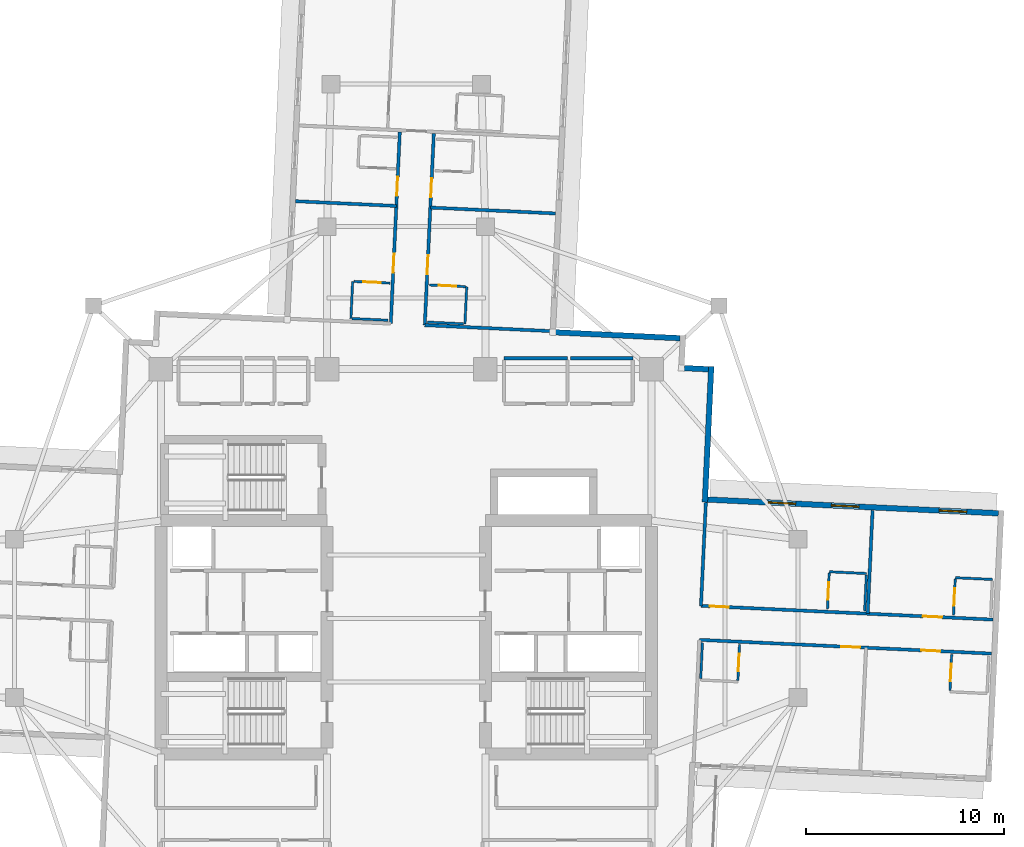
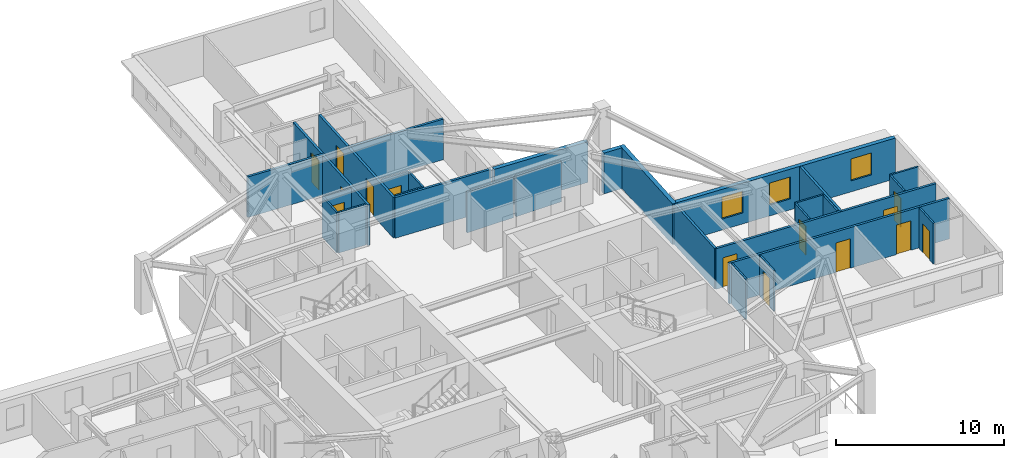
# One storey, part 8 of 14: 29 walls, 14 doors, 3 windows, 17 openings.
"""IFC4 building model written with IfcOpenShell, lengths in metres."""

from ifc_helpers import new_model, si_unit, direction, frame, frame_2d, origin, place, context, subcontext, project, spatial, rectangle, extrude, material, layer, layer_set, type_object, element, fill, save


model = new_model("IFC4")

# Units and contexts
model_context = context("Model", 3, precision=1e-05, world=origin(), true_north=direction((0.0, 1.0)))
body_context = subcontext(model_context, "Body", "Model", "MODEL_VIEW")
ifc_project = project(units=[si_unit("LENGTHUNIT", "METRE"), si_unit("AREAUNIT", "SQUARE_METRE"), si_unit("VOLUMEUNIT", "CUBIC_METRE"), si_unit("PLANEANGLEUNIT", "RADIAN"), si_unit("MASSUNIT", "GRAM", prefix="KILO")], contexts=[model_context])

# Site, building, storey
site_placement = place(None, origin())
site = spatial("IfcSite", under=ifc_project, at=site_placement, CompositionType="ELEMENT")
building_placement = place(site_placement, origin())
building = spatial("IfcBuilding", under=site, at=building_placement, Name="Qingluan Cross Belvedere", CompositionType="ELEMENT")
storey_placement = place(building_placement, frame((0.0, 0.0, 172.199951171875)))
storey = spatial("IfcBuildingStorey", under=building, at=storey_placement, Name="L43", CompositionType="ELEMENT", Elevation=172.199951171875)

# Walls
ifc_material_1 = material(Name="Gypsum plasterboard on steel stud acoustic partition", Category="steel")
ifc_layer_1 = layer(ifc_material_1, 0.159912109375, Name="CorridorPartition_160")
ifc_layer_set_1 = layer_set([ifc_layer_1], Name="Gypsum plasterboard on steel stud acoustic partition")
wall_type_1 = type_object("IfcWallType", Name="CorridorPartition_160", PredefinedType="PARTITIONING", material=ifc_layer_set_1)
wall_1_placement = place(storey_placement, frame((4.949951171875, 13.14990234375, 0.0), z_axis=(0.0, 0.0, 1.0), x_axis=(1.0, 0.0, 0.0)))
element("IfcWall", 1, at=wall_1_placement, inside=storey, type_object=wall_type_1, Name="Partition L43:q_ne1:N", PredefinedType="PARTITIONING", context=body_context, shape_type="SweptSolid", body=[
    extrude(rectangle(XDim=3.199951171875, YDim=0.159912109375, at=frame_2d((1.60009765625, 0.0))), origin(), (0.0, 0.0, 1.0), 2.9599609375),
])
wall_2_placement = place(storey_placement, frame((8.31005859375, 13.14990234375, 0.0), z_axis=(0.0, 0.0, 1.0), x_axis=(1.0, 0.0, 0.0)))
element("IfcWall", 2, at=wall_2_placement, inside=storey, type_object=wall_type_1, Name="Partition L43:q_ne2:N", PredefinedType="PARTITIONING", context=body_context, shape_type="SweptSolid", body=[
    extrude(rectangle(XDim=3.139892578125, YDim=0.159912109375, at=frame_2d((1.56982421875, 0.0))), origin(), (0.0, 0.0, 1.0), 2.9599609375),
])

# Wall, openings, doors
wall_3_placement = place(storey_placement, frame((14.896484375, 0.638916015625, 0.0), z_axis=(0.0, 0.0, 1.0), x_axis=(0.99889000272, -0.04710374153, 0.0)))
wall_3 = element("IfcWall", 3, at=wall_3_placement, inside=storey, type_object=wall_type_1, Name="Partition L43:E:c0", PredefinedType="PARTITIONING", context=body_context, shape_type="SweptSolid", body=[
    extrude(rectangle(XDim=14.781982421875, YDim=0.159912109375, at=frame_2d((7.39111328125, 0.0))), origin(), (0.0, 0.0, 1.0), 2.9599609375),
])
opening_1_placement = place(wall_3_placement, frame((0.449951171875, 0.0, 0.0)))
opening_1 = element("IfcOpeningElement", 4, at=opening_1_placement, cuts=wall_3, Name="Opening GD-10", PredefinedType="OPENING", context=body_context, shape_type="SweptSolid", body=[
    extrude(rectangle(XDim=0.9599609375, YDim=2.14990234375, at=frame_2d((0.47998046875, 1.074951171875))), frame((0.0, 0.08984375, 0.0), z_axis=(0.0, -1.0, 0.0), x_axis=(1.0, 0.0, 0.0)), (0.0, 0.0, 1.0), 0.179931640625),
])
opening_2_placement = place(wall_3_placement, frame((11.23291015625, 0.0, 0.0)))
opening_2 = element("IfcOpeningElement", 5, at=opening_2_placement, cuts=wall_3, Name="Opening GD-10", PredefinedType="OPENING", context=body_context, shape_type="SweptSolid", body=[
    extrude(rectangle(XDim=0.9599609375, YDim=2.14990234375, at=frame_2d((0.47998046875, 1.074951171875))), frame((0.0, 0.08984375, 0.0), z_axis=(0.0, -1.0, 0.0), x_axis=(1.0, 0.0, 0.0)), (0.0, 0.0, 1.0), 0.179931640625),
])
ifc_material_2 = material(Name="Timber oak fire-rated acoustic guestroom door", Category="wood")
door_type_1 = type_object("IfcDoorType", Name="GuestEntryDoor_FD60", OperationType="NOTDEFINED", PredefinedType="DOOR", material=ifc_material_2)
door_1_placement = place(opening_1_placement, origin())
door_1 = element("IfcDoor", 6, at=door_1_placement, inside=storey, type_object=door_type_1, Name="Guest entry fire door 4301", OperationType="SINGLE_SWING_RIGHT", OverallHeight=2.14990234375, OverallWidth=0.9599609375, PredefinedType="DOOR", context=body_context, shape_type="SweptSolid", body=[
    extrude(rectangle(XDim=0.9599609375, YDim=2.14990234375, at=frame_2d((0.47998046875, 1.074951171875))), frame((0.0, 0.02490234375, 0.0), z_axis=(0.0, -1.0, 0.0), x_axis=(1.0, 0.0, 0.0)), (0.0, 0.0, 1.0), 0.050048828125),
])
fill(opening_1, door_1)
door_2_placement = place(opening_2_placement, origin())
door_2 = element("IfcDoor", 7, at=door_2_placement, inside=storey, type_object=door_type_1, Name="Guest entry fire door 4302", OperationType="SINGLE_SWING_RIGHT", OverallHeight=2.14990234375, OverallWidth=0.9599609375, PredefinedType="DOOR", context=body_context, shape_type="SweptSolid", body=[
    extrude(rectangle(XDim=0.9599609375, YDim=2.14990234375, at=frame_2d((0.47998046875, 1.074951171875))), frame((0.0, 0.02490234375, 0.0), z_axis=(0.0, -1.0, 0.0), x_axis=(1.0, 0.0, 0.0)), (0.0, 0.0, 1.0), 0.050048828125),
])
fill(opening_2, door_2)

# Walls
wall_4_placement = place(storey_placement, frame((14.896484375, 0.638916015625, 0.0), z_axis=(0.0, 0.0, 1.0), x_axis=(0.047128403226, 0.998888839466, 0.0)))
element("IfcWall", 8, at=wall_4_placement, inside=storey, type_object=wall_type_1, Name="Partition L43:E:s0", PredefinedType="PARTITIONING", context=body_context, shape_type="SweptSolid", body=[
    extrude(rectangle(XDim=5.232177734375, YDim=0.159912109375, at=frame_2d((2.6162109375, 0.0))), origin(), (0.0, 0.0, 1.0), 2.9599609375),
])
wall_5_placement = place(storey_placement, frame((23.322265625, 0.24169921875, 0.0), z_axis=(0.0, 0.0, 1.0), x_axis=(0.047084039521, 0.998890931595, 0.0)))
element("IfcWall", 9, at=wall_5_placement, inside=storey, type_object=wall_type_1, Name="Partition L43:E:d0_0", PredefinedType="PARTITIONING", context=body_context, shape_type="SweptSolid", body=[
    extrude(rectangle(XDim=5.23193359375, YDim=0.159912109375, at=frame_2d((2.615966796875, 0.0))), origin(), (0.0, 0.0, 1.0), 2.9599609375),
])

# Wall, openings, doors
wall_6_placement = place(storey_placement, frame((14.815673828125, -1.0791015625, 0.0), z_axis=(0.0, 0.0, 1.0), x_axis=(0.99889000272, -0.04710374153, 0.0)))
wall_6 = element("IfcWall", 10, at=wall_6_placement, inside=storey, type_object=wall_type_1, Name="Partition L43:E:c1", PredefinedType="PARTITIONING", context=body_context, shape_type="SweptSolid", body=[
    extrude(rectangle(XDim=14.781982421875, YDim=0.159912109375, at=frame_2d((7.39111328125, 0.0))), origin(), (0.0, 0.0, 1.0), 2.9599609375),
])
opening_3_placement = place(wall_6_placement, frame((7.175048828125, 0.0, 0.0)))
opening_3 = element("IfcOpeningElement", 11, at=opening_3_placement, cuts=wall_6, Name="Opening GD-10", PredefinedType="OPENING", context=body_context, shape_type="SweptSolid", body=[
    extrude(rectangle(XDim=0.9599609375, YDim=2.14990234375, at=frame_2d((0.47998046875, 1.074951171875))), frame((0.0, 0.08984375, 0.0), z_axis=(0.0, -1.0, 0.0), x_axis=(1.0, 0.0, 0.0)), (0.0, 0.0, 1.0), 0.179931640625),
])
opening_4_placement = place(wall_6_placement, frame((11.23291015625, 0.0, 0.0)))
opening_4 = element("IfcOpeningElement", 12, at=opening_4_placement, cuts=wall_6, Name="Opening GD-10", PredefinedType="OPENING", context=body_context, shape_type="SweptSolid", body=[
    extrude(rectangle(XDim=0.9599609375, YDim=2.14990234375, at=frame_2d((0.47998046875, 1.074951171875))), frame((0.0, 0.08984375, 0.0), z_axis=(0.0, -1.0, 0.0), x_axis=(1.0, 0.0, 0.0)), (0.0, 0.0, 1.0), 0.179931640625),
])
door_3_placement = place(opening_3_placement, origin())
door_3 = element("IfcDoor", 13, at=door_3_placement, inside=storey, type_object=door_type_1, Name="Guest entry fire door 4303", OperationType="SINGLE_SWING_RIGHT", OverallHeight=2.14990234375, OverallWidth=0.9599609375, PredefinedType="DOOR", context=body_context, shape_type="SweptSolid", body=[
    extrude(rectangle(XDim=0.9599609375, YDim=2.14990234375, at=frame_2d((0.47998046875, 1.074951171875))), frame((0.0, 0.02490234375, 0.0), z_axis=(0.0, -1.0, 0.0), x_axis=(1.0, 0.0, 0.0)), (0.0, 0.0, 1.0), 0.050048828125),
])
fill(opening_3, door_3)
door_4_placement = place(opening_4_placement, origin())
door_4 = element("IfcDoor", 14, at=door_4_placement, inside=storey, type_object=door_type_1, Name="Guest entry fire door 4304", OperationType="SINGLE_SWING_RIGHT", OverallHeight=2.14990234375, OverallWidth=0.9599609375, PredefinedType="DOOR", context=body_context, shape_type="SweptSolid", body=[
    extrude(rectangle(XDim=0.9599609375, YDim=2.14990234375, at=frame_2d((0.47998046875, 1.074951171875))), frame((0.0, 0.02490234375, 0.0), z_axis=(0.0, -1.0, 0.0), x_axis=(1.0, 0.0, 0.0)), (0.0, 0.0, 1.0), 0.050048828125),
])
fill(opening_4, door_4)

wall_7_placement = place(storey_placement, frame((0.939208984375, 14.822265625, 0.0), z_axis=(0.0, 0.0, 1.0), x_axis=(0.047116711769, 0.99888939101, 0.0)))
wall_7 = element("IfcWall", 15, at=wall_7_placement, inside=storey, type_object=wall_type_1, Name="Partition L43:N:c0", PredefinedType="PARTITIONING", context=body_context, shape_type="SweptSolid", body=[
    extrude(rectangle(XDim=9.699951171875, YDim=0.159912109375, at=frame_2d((4.85009765625, 0.0))), origin(), (0.0, 0.0, 1.0), 2.9599609375),
])
opening_5_placement = place(wall_7_placement, frame((2.574951171875, 0.0, 0.0)))
opening_5 = element("IfcOpeningElement", 16, at=opening_5_placement, cuts=wall_7, Name="Opening GD-10", PredefinedType="OPENING", context=body_context, shape_type="SweptSolid", body=[
    extrude(rectangle(XDim=0.9599609375, YDim=2.14990234375, at=frame_2d((0.47998046875, 1.074951171875))), frame((0.0, 0.08984375, 0.0), z_axis=(0.0, -1.0, 0.0), x_axis=(1.0, 0.0, 0.0)), (0.0, 0.0, 1.0), 0.179931640625),
])
opening_6_placement = place(wall_7_placement, frame((6.467041015625, 0.0, 0.0)))
opening_6 = element("IfcOpeningElement", 17, at=opening_6_placement, cuts=wall_7, Name="Opening GD-10", PredefinedType="OPENING", context=body_context, shape_type="SweptSolid", body=[
    extrude(rectangle(XDim=0.9599609375, YDim=2.14990234375, at=frame_2d((0.47998046875, 1.074951171875))), frame((0.0, 0.08984375, 0.0), z_axis=(0.0, -1.0, 0.0), x_axis=(1.0, 0.0, 0.0)), (0.0, 0.0, 1.0), 0.179931640625),
])
door_5_placement = place(opening_5_placement, origin())
door_5 = element("IfcDoor", 18, at=door_5_placement, inside=storey, type_object=door_type_1, Name="Guest entry fire door 4311", OperationType="SINGLE_SWING_RIGHT", OverallHeight=2.14990234375, OverallWidth=0.9599609375, PredefinedType="DOOR", context=body_context, shape_type="SweptSolid", body=[
    extrude(rectangle(XDim=0.9599609375, YDim=2.14990234375, at=frame_2d((0.47998046875, 1.074951171875))), frame((0.0, 0.02490234375, 0.0), z_axis=(0.0, -1.0, 0.0), x_axis=(1.0, 0.0, 0.0)), (0.0, 0.0, 1.0), 0.050048828125),
])
fill(opening_5, door_5)
door_6_placement = place(opening_6_placement, origin())
door_6 = element("IfcDoor", 19, at=door_6_placement, inside=storey, type_object=door_type_1, Name="Guest entry fire door 4312", OperationType="SINGLE_SWING_RIGHT", OverallHeight=2.14990234375, OverallWidth=0.9599609375, PredefinedType="DOOR", context=body_context, shape_type="SweptSolid", body=[
    extrude(rectangle(XDim=0.9599609375, YDim=2.14990234375, at=frame_2d((0.47998046875, 1.074951171875))), frame((0.0, 0.02490234375, 0.0), z_axis=(0.0, -1.0, 0.0), x_axis=(1.0, 0.0, 0.0)), (0.0, 0.0, 1.0), 0.050048828125),
])
fill(opening_6, door_6)

# Walls
wall_8_placement = place(storey_placement, frame((0.939208984375, 14.822265625, 0.0), z_axis=(0.0, 0.0, 1.0), x_axis=(0.998890444558, -0.047094370901, 0.0)))
element("IfcWall", 20, at=wall_8_placement, inside=storey, type_object=wall_type_1, Name="Partition L43:N:s0", PredefinedType="PARTITIONING", context=body_context, shape_type="SweptSolid", body=[
    extrude(rectangle(XDim=6.47998046875, YDim=0.159912109375, at=frame_2d((3.239990234375, 0.0))), origin(), (0.0, 0.0, 1.0), 2.9599609375),
])
wall_9_placement = place(storey_placement, frame((1.219482421875, 20.765625, 0.0), z_axis=(0.0, 0.0, 1.0), x_axis=(0.998889408842, -0.047116333717, 0.0)))
element("IfcWall", 21, at=wall_9_placement, inside=storey, type_object=wall_type_1, Name="Partition L43:N:d0_0", PredefinedType="PARTITIONING", context=body_context, shape_type="SweptSolid", body=[
    extrude(rectangle(XDim=6.33203125, YDim=0.159912109375, at=frame_2d((3.166015625, 0.0))), origin(), (0.0, 0.0, 1.0), 2.9599609375),
])

# Wall, openings, doors
wall_10_placement = place(storey_placement, frame((-0.77880859375, 14.9033203125, 0.0), z_axis=(0.0, 0.0, 1.0), x_axis=(0.047091598416, 0.998890575268, 0.0)))
wall_10 = element("IfcWall", 22, at=wall_10_placement, inside=storey, type_object=wall_type_1, Name="Partition L43:N:c1", PredefinedType="PARTITIONING", context=body_context, shape_type="SweptSolid", body=[
    extrude(rectangle(XDim=9.699951171875, YDim=0.159912109375, at=frame_2d((4.85009765625, 0.0))), origin(), (0.0, 0.0, 1.0), 2.9599609375),
])
opening_7_placement = place(wall_10_placement, frame((2.574951171875, 0.0, 0.0)))
opening_7 = element("IfcOpeningElement", 23, at=opening_7_placement, cuts=wall_10, Name="Opening GD-10", PredefinedType="OPENING", context=body_context, shape_type="SweptSolid", body=[
    extrude(rectangle(XDim=0.9599609375, YDim=2.14990234375, at=frame_2d((0.47998046875, 1.074951171875))), frame((0.0, 0.08984375, 0.0), z_axis=(0.0, -1.0, 0.0), x_axis=(1.0, 0.0, 0.0)), (0.0, 0.0, 1.0), 0.179931640625),
])
opening_8_placement = place(wall_10_placement, frame((6.467041015625, 0.0, 0.0)))
opening_8 = element("IfcOpeningElement", 24, at=opening_8_placement, cuts=wall_10, Name="Opening GD-10", PredefinedType="OPENING", context=body_context, shape_type="SweptSolid", body=[
    extrude(rectangle(XDim=0.9599609375, YDim=2.14990234375, at=frame_2d((0.47998046875, 1.074951171875))), frame((0.0, 0.08984375, 0.0), z_axis=(0.0, -1.0, 0.0), x_axis=(1.0, 0.0, 0.0)), (0.0, 0.0, 1.0), 0.179931640625),
])
door_7_placement = place(opening_7_placement, origin())
door_7 = element("IfcDoor", 25, at=door_7_placement, inside=storey, type_object=door_type_1, Name="Guest entry fire door 4313", OperationType="SINGLE_SWING_RIGHT", OverallHeight=2.14990234375, OverallWidth=0.9599609375, PredefinedType="DOOR", context=body_context, shape_type="SweptSolid", body=[
    extrude(rectangle(XDim=0.9599609375, YDim=2.14990234375, at=frame_2d((0.47998046875, 1.074951171875))), frame((0.0, 0.02490234375, 0.0), z_axis=(0.0, -1.0, 0.0), x_axis=(1.0, 0.0, 0.0)), (0.0, 0.0, 1.0), 0.050048828125),
])
fill(opening_7, door_7)
door_8_placement = place(opening_8_placement, origin())
door_8 = element("IfcDoor", 26, at=door_8_placement, inside=storey, type_object=door_type_1, Name="Guest entry fire door 4314", OperationType="SINGLE_SWING_RIGHT", OverallHeight=2.14990234375, OverallWidth=0.9599609375, PredefinedType="DOOR", context=body_context, shape_type="SweptSolid", body=[
    extrude(rectangle(XDim=0.9599609375, YDim=2.14990234375, at=frame_2d((0.47998046875, 1.074951171875))), frame((0.0, 0.02490234375, 0.0), z_axis=(0.0, -1.0, 0.0), x_axis=(1.0, 0.0, 0.0)), (0.0, 0.0, 1.0), 0.050048828125),
])
fill(opening_8, door_8)

# Wall
wall_11_placement = place(storey_placement, frame((-0.49853515625, 20.8466796875, 0.0), z_axis=(0.0, 0.0, 1.0), x_axis=(-0.998891017342, 0.047082220362, 0.0)))
element("IfcWall", 27, at=wall_11_placement, inside=storey, type_object=wall_type_1, Name="Partition L43:N:d1_0", PredefinedType="PARTITIONING", context=body_context, shape_type="SweptSolid", body=[
    extrude(rectangle(XDim=5.092041015625, YDim=0.159912109375, at=frame_2d((2.5458984375, 0.0))), origin(), (0.0, 0.0, 1.0), 2.9599609375),
])

# Wall, opening, door
ifc_material_3 = material(Name="Moisture-resistant gypsum board lining")
ifc_layer_2 = layer(ifc_material_3, 0.1201171875, Name="EnsuiteWetPartition_120")
ifc_layer_set_2 = layer_set([ifc_layer_2], Name="Moisture-resistant gypsum board lining")
wall_type_2 = type_object("IfcWallType", Name="EnsuiteWetPartition_120", PredefinedType="PARTITIONING", material=ifc_layer_set_2)
wall_12_placement = place(storey_placement, frame((21.291015625, 0.4775390625, 0.0), z_axis=(0.0, 0.0, 1.0), x_axis=(0.047214641863, 0.998884766924, 0.0)))
wall_12 = element("IfcWall", 28, at=wall_12_placement, inside=storey, type_object=wall_type_2, Name="Partition L43:E:bs0_0", PredefinedType="PARTITIONING", context=body_context, shape_type="SweptSolid", body=[
    extrude(rectangle(XDim=1.820068359375, YDim=0.1201171875, at=frame_2d((0.91015625, 0.0))), origin(), (0.0, 0.0, 1.0), 2.9599609375),
])
opening_9_placement = place(wall_12_placement, frame((0.469970703125, 0.0, 0.0)))
opening_9 = element("IfcOpeningElement", 29, at=opening_9_placement, cuts=wall_12, Name="Opening BD-09", PredefinedType="OPENING", context=body_context, shape_type="SweptSolid", body=[
    extrude(rectangle(XDim=0.8798828125, YDim=2.10009765625, at=frame_2d((0.43994140625, 1.050048828125))), frame((0.0, 0.070068359375, 0.0), z_axis=(0.0, -1.0, 0.0), x_axis=(1.0, 0.0, 0.0)), (0.0, 0.0, 1.0), 0.14013671875),
])
ifc_material_4 = material(Name="Moisture-sealed timber en-suite door", Category="wood")
door_type_2 = type_object("IfcDoorType", Name="BathroomDoor_880", OperationType="NOTDEFINED", PredefinedType="DOOR", material=ifc_material_4)
door_9_placement = place(opening_9_placement, origin())
door_9 = element("IfcDoor", 30, at=door_9_placement, inside=storey, type_object=door_type_2, Name="Bathroom door 4301", OperationType="SINGLE_SWING_LEFT", OverallHeight=2.10009765625, OverallWidth=0.8798828125, PredefinedType="DOOR", context=body_context, shape_type="SweptSolid", body=[
    extrude(rectangle(XDim=0.8798828125, YDim=2.10009765625, at=frame_2d((0.43994140625, 1.050048828125))), frame((0.0, 0.02490234375, 0.0), z_axis=(0.0, -1.0, 0.0), x_axis=(1.0, 0.0, 0.0)), (0.0, 0.0, 1.0), 0.050048828125),
])
fill(opening_9, door_9)

# Walls
wall_13_placement = place(storey_placement, frame((23.1689453125, 0.388916015625, 0.0), z_axis=(0.0, 0.0, 1.0), x_axis=(0.047214641863, 0.998884766924, 0.0)))
element("IfcWall", 31, at=wall_13_placement, inside=storey, type_object=wall_type_2, Name="Partition L43:E:bw0_0", PredefinedType="PARTITIONING", context=body_context, shape_type="SweptSolid", body=[
    extrude(rectangle(XDim=1.820068359375, YDim=0.1201171875, at=frame_2d((0.91015625, 0.0))), origin(), (0.0, 0.0, 1.0), 2.9599609375),
])
wall_14_placement = place(storey_placement, frame((21.3798828125, 2.360595703125, 0.0), z_axis=(0.0, 0.0, 1.0), x_axis=(0.998888319371, -0.047139425368, 0.0)))
element("IfcWall", 32, at=wall_14_placement, inside=storey, type_object=wall_type_2, Name="Partition L43:E:bn0_0", PredefinedType="PARTITIONING", context=body_context, shape_type="SweptSolid", body=[
    extrude(rectangle(XDim=1.880126953125, YDim=0.1201171875, at=frame_2d((0.93994140625, 0.0))), origin(), (0.0, 0.0, 1.0), 2.9599609375),
])

# Wall, opening, door
wall_15_placement = place(storey_placement, frame((27.6591796875, 0.17724609375, 0.0), z_axis=(0.0, 0.0, 1.0), x_axis=(0.047080807099, 0.998891083954, 0.0)))
wall_15 = element("IfcWall", 33, at=wall_15_placement, inside=storey, type_object=wall_type_2, Name="Partition L43:E:bs0_1", PredefinedType="PARTITIONING", context=body_context, shape_type="SweptSolid", body=[
    extrude(rectangle(XDim=1.820068359375, YDim=0.1201171875, at=frame_2d((0.91015625, 0.0))), origin(), (0.0, 0.0, 1.0), 2.9599609375),
])
opening_10_placement = place(wall_15_placement, frame((0.469970703125, 0.0, 0.0)))
opening_10 = element("IfcOpeningElement", 34, at=opening_10_placement, cuts=wall_15, Name="Opening BD-09", PredefinedType="OPENING", context=body_context, shape_type="SweptSolid", body=[
    extrude(rectangle(XDim=0.8798828125, YDim=2.10009765625, at=frame_2d((0.43994140625, 1.050048828125))), frame((0.0, 0.070068359375, 0.0), z_axis=(0.0, -1.0, 0.0), x_axis=(1.0, 0.0, 0.0)), (0.0, 0.0, 1.0), 0.14013671875),
])
door_10_placement = place(opening_10_placement, origin())
door_10 = element("IfcDoor", 35, at=door_10_placement, inside=storey, type_object=door_type_2, Name="Bathroom door 4302", OperationType="SINGLE_SWING_LEFT", OverallHeight=2.10009765625, OverallWidth=0.8798828125, PredefinedType="DOOR", context=body_context, shape_type="SweptSolid", body=[
    extrude(rectangle(XDim=0.8798828125, YDim=2.10009765625, at=frame_2d((0.43994140625, 1.050048828125))), frame((0.0, 0.02490234375, 0.0), z_axis=(0.0, -1.0, 0.0), x_axis=(1.0, 0.0, 0.0)), (0.0, 0.0, 1.0), 0.050048828125),
])
fill(opening_10, door_10)

# Wall
wall_16_placement = place(storey_placement, frame((27.747802734375, 2.060302734375, 0.0), z_axis=(0.0, 0.0, 1.0), x_axis=(0.998888319371, -0.047139425368, 0.0)))
element("IfcWall", 36, at=wall_16_placement, inside=storey, type_object=wall_type_2, Name="Partition L43:E:bn0_1", PredefinedType="PARTITIONING", context=body_context, shape_type="SweptSolid", body=[
    extrude(rectangle(XDim=1.880126953125, YDim=0.1201171875, at=frame_2d((0.93994140625, 0.0))), origin(), (0.0, 0.0, 1.0), 2.9599609375),
])

# Wall, opening, door
wall_17_placement = place(storey_placement, frame((16.760986328125, -3.133056640625, 0.0), z_axis=(0.0, 0.0, 1.0), x_axis=(0.047087116047, 0.998890786574, 0.0)))
wall_17 = element("IfcWall", 37, at=wall_17_placement, inside=storey, type_object=wall_type_2, Name="Partition L43:E:bs1_0", PredefinedType="PARTITIONING", context=body_context, shape_type="SweptSolid", body=[
    extrude(rectangle(XDim=1.81982421875, YDim=0.1201171875, at=frame_2d((0.909912109375, 0.0))), origin(), (0.0, 0.0, 1.0), 2.9599609375),
])
opening_11_placement = place(wall_17_placement, frame((0.469970703125, 0.0, 0.0)))
opening_11 = element("IfcOpeningElement", 38, at=opening_11_placement, cuts=wall_17, Name="Opening BD-09", PredefinedType="OPENING", context=body_context, shape_type="SweptSolid", body=[
    extrude(rectangle(XDim=0.8798828125, YDim=2.10009765625, at=frame_2d((0.43994140625, 1.050048828125))), frame((0.0, 0.070068359375, 0.0), z_axis=(0.0, -1.0, 0.0), x_axis=(1.0, 0.0, 0.0)), (0.0, 0.0, 1.0), 0.14013671875),
])
door_11_placement = place(opening_11_placement, origin())
door_11 = element("IfcDoor", 39, at=door_11_placement, inside=storey, type_object=door_type_2, Name="Bathroom door 4303", OperationType="SINGLE_SWING_LEFT", OverallHeight=2.10009765625, OverallWidth=0.8798828125, PredefinedType="DOOR", context=body_context, shape_type="SweptSolid", body=[
    extrude(rectangle(XDim=0.8798828125, YDim=2.10009765625, at=frame_2d((0.43994140625, 1.050048828125))), frame((0.0, 0.02490234375, 0.0), z_axis=(0.0, -1.0, 0.0), x_axis=(1.0, 0.0, 0.0)), (0.0, 0.0, 1.0), 0.050048828125),
])
fill(opening_11, door_11)

# Wall
wall_18_placement = place(storey_placement, frame((14.883056640625, -3.04443359375, 0.0), z_axis=(0.0, 0.0, 1.0), x_axis=(0.047087116047, 0.998890786574, 0.0)))
element("IfcWall", 40, at=wall_18_placement, inside=storey, type_object=wall_type_2, Name="Partition L43:E:bw1_0", PredefinedType="PARTITIONING", context=body_context, shape_type="SweptSolid", body=[
    extrude(rectangle(XDim=1.81982421875, YDim=0.1201171875, at=frame_2d((0.909912109375, 0.0))), origin(), (0.0, 0.0, 1.0), 2.9599609375),
])

# Wall, opening, door
wall_19_placement = place(storey_placement, frame((27.47900390625, -3.638427734375, 0.0), z_axis=(0.0, 0.0, 1.0), x_axis=(0.047087116047, 0.998890786574, 0.0)))
wall_19 = element("IfcWall", 41, at=wall_19_placement, inside=storey, type_object=wall_type_2, Name="Partition L43:E:bs1_1", PredefinedType="PARTITIONING", context=body_context, shape_type="SweptSolid", body=[
    extrude(rectangle(XDim=1.81982421875, YDim=0.1201171875, at=frame_2d((0.909912109375, 0.0))), origin(), (0.0, 0.0, 1.0), 2.9599609375),
])
opening_12_placement = place(wall_19_placement, frame((0.469970703125, 0.0, 0.0)))
opening_12 = element("IfcOpeningElement", 42, at=opening_12_placement, cuts=wall_19, Name="Opening BD-09", PredefinedType="OPENING", context=body_context, shape_type="SweptSolid", body=[
    extrude(rectangle(XDim=0.8798828125, YDim=2.10009765625, at=frame_2d((0.43994140625, 1.050048828125))), frame((0.0, 0.070068359375, 0.0), z_axis=(0.0, -1.0, 0.0), x_axis=(1.0, 0.0, 0.0)), (0.0, 0.0, 1.0), 0.14013671875),
])
door_12_placement = place(opening_12_placement, origin())
door_12 = element("IfcDoor", 43, at=door_12_placement, inside=storey, type_object=door_type_2, Name="Bathroom door 4304", OperationType="SINGLE_SWING_LEFT", OverallHeight=2.10009765625, OverallWidth=0.8798828125, PredefinedType="DOOR", context=body_context, shape_type="SweptSolid", body=[
    extrude(rectangle(XDim=0.8798828125, YDim=2.10009765625, at=frame_2d((0.43994140625, 1.050048828125))), frame((0.0, 0.02490234375, 0.0), z_axis=(0.0, -1.0, 0.0), x_axis=(1.0, 0.0, 0.0)), (0.0, 0.0, 1.0), 0.050048828125),
])
fill(opening_12, door_12)

wall_20_placement = place(storey_placement, frame((1.17529296875, 16.853271484375, 0.0), z_axis=(0.0, 0.0, 1.0), x_axis=(0.998890786574, -0.047087116047, 0.0)))
wall_20 = element("IfcWall", 44, at=wall_20_placement, inside=storey, type_object=wall_type_2, Name="Partition L43:N:bs0_0", PredefinedType="PARTITIONING", context=body_context, shape_type="SweptSolid", body=[
    extrude(rectangle(XDim=1.81982421875, YDim=0.1201171875, at=frame_2d((0.909912109375, 0.0))), origin(), (0.0, 0.0, 1.0), 2.9599609375),
])
opening_13_placement = place(wall_20_placement, frame((0.469970703125, 0.0, 0.0)))
opening_13 = element("IfcOpeningElement", 45, at=opening_13_placement, cuts=wall_20, Name="Opening BD-09", PredefinedType="OPENING", context=body_context, shape_type="SweptSolid", body=[
    extrude(rectangle(XDim=0.8798828125, YDim=2.10009765625, at=frame_2d((0.43994140625, 1.050048828125))), frame((0.0, 0.070068359375, 0.0), z_axis=(0.0, -1.0, 0.0), x_axis=(1.0, 0.0, 0.0)), (0.0, 0.0, 1.0), 0.14013671875),
])
door_13_placement = place(opening_13_placement, origin())
door_13 = element("IfcDoor", 46, at=door_13_placement, inside=storey, type_object=door_type_2, Name="Bathroom door 4311", OperationType="SINGLE_SWING_LEFT", OverallHeight=2.10009765625, OverallWidth=0.8798828125, PredefinedType="DOOR", context=body_context, shape_type="SweptSolid", body=[
    extrude(rectangle(XDim=0.8798828125, YDim=2.10009765625, at=frame_2d((0.43994140625, 1.050048828125))), frame((0.0, 0.02490234375, 0.0), z_axis=(0.0, -1.0, 0.0), x_axis=(1.0, 0.0, 0.0)), (0.0, 0.0, 1.0), 0.050048828125),
])
fill(opening_13, door_13)

# Walls
wall_21_placement = place(storey_placement, frame((1.086669921875, 14.975341796875, 0.0), z_axis=(0.0, 0.0, 1.0), x_axis=(0.998890786574, -0.047087116047, 0.0)))
element("IfcWall", 47, at=wall_21_placement, inside=storey, type_object=wall_type_2, Name="Partition L43:N:bw0_0", PredefinedType="PARTITIONING", context=body_context, shape_type="SweptSolid", body=[
    extrude(rectangle(XDim=1.81982421875, YDim=0.1201171875, at=frame_2d((0.909912109375, 0.0))), origin(), (0.0, 0.0, 1.0), 2.9599609375),
])
wall_22_placement = place(storey_placement, frame((2.969482421875, 14.88671875, 0.0), z_axis=(0.0, 0.0, 1.0), x_axis=(0.047139425368, 0.998888319371, 0.0)))
element("IfcWall", 48, at=wall_22_placement, inside=storey, type_object=wall_type_2, Name="Partition L43:N:bn0_0", PredefinedType="PARTITIONING", context=body_context, shape_type="SweptSolid", body=[
    extrude(rectangle(XDim=1.880126953125, YDim=0.1201171875, at=frame_2d((0.93994140625, 0.0))), origin(), (0.0, 0.0, 1.0), 2.9599609375),
])

# Wall, opening, door
wall_23_placement = place(storey_placement, frame((-2.640625, 17.033203125, 0.0), z_axis=(0.0, 0.0, 1.0), x_axis=(0.998891083954, -0.047080807099, 0.0)))
wall_23 = element("IfcWall", 49, at=wall_23_placement, inside=storey, type_object=wall_type_2, Name="Partition L43:N:bs1_0", PredefinedType="PARTITIONING", context=body_context, shape_type="SweptSolid", body=[
    extrude(rectangle(XDim=1.820068359375, YDim=0.1201171875, at=frame_2d((0.91015625, 0.0))), origin(), (0.0, 0.0, 1.0), 2.9599609375),
])
opening_14_placement = place(wall_23_placement, frame((0.469970703125, 0.0, 0.0)))
opening_14 = element("IfcOpeningElement", 50, at=opening_14_placement, cuts=wall_23, Name="Opening BD-09", PredefinedType="OPENING", context=body_context, shape_type="SweptSolid", body=[
    extrude(rectangle(XDim=0.8798828125, YDim=2.10009765625, at=frame_2d((0.43994140625, 1.050048828125))), frame((0.0, 0.070068359375, 0.0), z_axis=(0.0, -1.0, 0.0), x_axis=(1.0, 0.0, 0.0)), (0.0, 0.0, 1.0), 0.14013671875),
])
door_14_placement = place(opening_14_placement, origin())
door_14 = element("IfcDoor", 51, at=door_14_placement, inside=storey, type_object=door_type_2, Name="Bathroom door 4313", OperationType="SINGLE_SWING_LEFT", OverallHeight=2.10009765625, OverallWidth=0.8798828125, PredefinedType="DOOR", context=body_context, shape_type="SweptSolid", body=[
    extrude(rectangle(XDim=0.8798828125, YDim=2.10009765625, at=frame_2d((0.43994140625, 1.050048828125))), frame((0.0, 0.02490234375, 0.0), z_axis=(0.0, -1.0, 0.0), x_axis=(1.0, 0.0, 0.0)), (0.0, 0.0, 1.0), 0.050048828125),
])
fill(opening_14, door_14)

# Walls
wall_24_placement = place(storey_placement, frame((-2.72900390625, 15.155517578125, 0.0), z_axis=(0.0, 0.0, 1.0), x_axis=(0.998884467853, -0.047220968666, 0.0)))
element("IfcWall", 52, at=wall_24_placement, inside=storey, type_object=wall_type_2, Name="Partition L43:N:bw1_0", PredefinedType="PARTITIONING", context=body_context, shape_type="SweptSolid", body=[
    extrude(rectangle(XDim=1.81982421875, YDim=0.1201171875, at=frame_2d((0.909912109375, 0.0))), origin(), (0.0, 0.0, 1.0), 2.9599609375),
])
wall_25_placement = place(storey_placement, frame((-2.7939453125, 15.158447265625, 0.0), z_axis=(0.0, 0.0, 1.0), x_axis=(0.04700985207, 0.998894425757, 0.0)))
element("IfcWall", 53, at=wall_25_placement, inside=storey, type_object=wall_type_2, Name="Partition L43:N:bc1_0", PredefinedType="PARTITIONING", context=body_context, shape_type="SweptSolid", body=[
    extrude(rectangle(XDim=1.880126953125, YDim=0.1201171875, at=frame_2d((0.93994140625, 0.0))), origin(), (0.0, 0.0, 1.0), 2.9599609375),
])

# Wall, openings, windows
ifc_material_5 = material(Name="Precast concrete C45", Category="concrete")
ifc_layer_3 = layer(ifc_material_5, 0.280029296875, Name="PrecastFacadeWall_280")
ifc_layer_set_3 = layer_set([ifc_layer_3], Name="Precast concrete C45")
wall_type_3 = type_object("IfcWallType", Name="PrecastFacadeWall_280", PredefinedType="STANDARD", material=ifc_layer_set_3)
wall_26_placement = place(storey_placement, frame((29.923583984375, 5.31640625, 0.0), z_axis=(0.0, 0.0, 1.0), x_axis=(-0.998890124275, 0.047101163748, 0.0)))
wall_26 = element("IfcWall", 54, at=wall_26_placement, inside=storey, type_object=wall_type_3, Name="Facade wall L43-EB", PredefinedType="STANDARD", context=body_context, shape_type="SweptSolid", body=[
    extrude(rectangle(XDim=14.699951171875, YDim=0.280029296875, at=frame_2d((7.35009765625, 0.0))), origin(), (0.0, 0.0, 1.0), 2.969970703125),
])
opening_15_placement = place(wall_26_placement, frame((1.60009765625, 0.0, 0.800048828125)))
opening_15 = element("IfcOpeningElement", 55, at=opening_15_placement, cuts=wall_26, Name="Opening W-01", PredefinedType="OPENING", context=body_context, shape_type="SweptSolid", body=[
    extrude(rectangle(XDim=1.39990234375, YDim=1.60009765625, at=frame_2d((0.699951171875, 0.800048828125))), frame((0.0, 0.14990234375, 0.0), z_axis=(0.0, -1.0, 0.0), x_axis=(1.0, 0.0, 0.0)), (0.0, 0.0, 1.0), 0.300048828125),
])
opening_16_placement = place(wall_26_placement, frame((7.050048828125, 0.0, 0.800048828125)))
opening_16 = element("IfcOpeningElement", 56, at=opening_16_placement, cuts=wall_26, Name="Opening W-01", PredefinedType="OPENING", context=body_context, shape_type="SweptSolid", body=[
    extrude(rectangle(XDim=1.39990234375, YDim=1.60009765625, at=frame_2d((0.699951171875, 0.800048828125))), frame((0.0, 0.14990234375, 0.0), z_axis=(0.0, -1.0, 0.0), x_axis=(1.0, 0.0, 0.0)), (0.0, 0.0, 1.0), 0.300048828125),
])
opening_17_placement = place(wall_26_placement, frame((10.25, 0.0, 0.800048828125)))
opening_17 = element("IfcOpeningElement", 57, at=opening_17_placement, cuts=wall_26, Name="Opening W-01", PredefinedType="OPENING", context=body_context, shape_type="SweptSolid", body=[
    extrude(rectangle(XDim=1.39990234375, YDim=1.60009765625, at=frame_2d((0.699951171875, 0.800048828125))), frame((0.0, 0.14990234375, 0.0), z_axis=(0.0, -1.0, 0.0), x_axis=(1.0, 0.0, 0.0)), (0.0, 0.0, 1.0), 0.300048828125),
])
ifc_material_6 = material(Name="Thermally broken triple Low-E glass in aluminium frame", Category="aluminium")
window_type = type_object("IfcWindowType", Name="TriRibbonWin_1400x1600", PartitioningType="SINGLE_PANEL", PredefinedType="WINDOW", material=ifc_material_6)
window_1_placement = place(opening_15_placement, origin())
window_1 = element("IfcWindow", 58, at=window_1_placement, inside=storey, type_object=window_type, Name="Ribbon window L43-EB-1", OverallHeight=1.60009765625, OverallWidth=1.39990234375, PartitioningType="SINGLE_PANEL", PredefinedType="WINDOW", context=body_context, shape_type="SweptSolid", body=[
    extrude(rectangle(XDim=1.39990234375, YDim=1.60009765625, at=frame_2d((0.699951171875, 0.800048828125))), frame((0.0, 0.030029296875, 0.0), z_axis=(0.0, -1.0, 0.0), x_axis=(1.0, 0.0, 0.0)), (0.0, 0.0, 1.0), 0.06005859375),
])
fill(opening_15, window_1)
window_2_placement = place(opening_16_placement, origin())
window_2 = element("IfcWindow", 59, at=window_2_placement, inside=storey, type_object=window_type, Name="Ribbon window L43-EB-2", OverallHeight=1.60009765625, OverallWidth=1.39990234375, PartitioningType="SINGLE_PANEL", PredefinedType="WINDOW", context=body_context, shape_type="SweptSolid", body=[
    extrude(rectangle(XDim=1.39990234375, YDim=1.60009765625, at=frame_2d((0.699951171875, 0.800048828125))), frame((0.0, 0.030029296875, 0.0), z_axis=(0.0, -1.0, 0.0), x_axis=(1.0, 0.0, 0.0)), (0.0, 0.0, 1.0), 0.06005859375),
])
fill(opening_16, window_2)
window_3_placement = place(opening_17_placement, origin())
window_3 = element("IfcWindow", 60, at=window_3_placement, inside=storey, type_object=window_type, Name="Ribbon window L43-EB-3", OverallHeight=1.60009765625, OverallWidth=1.39990234375, PartitioningType="SINGLE_PANEL", PredefinedType="WINDOW", context=body_context, shape_type="SweptSolid", body=[
    extrude(rectangle(XDim=1.39990234375, YDim=1.60009765625, at=frame_2d((0.699951171875, 0.800048828125))), frame((0.0, 0.030029296875, 0.0), z_axis=(0.0, -1.0, 0.0), x_axis=(1.0, 0.0, 0.0)), (0.0, 0.0, 1.0), 0.06005859375),
])
fill(opening_17, window_3)

# Walls
wall_27_placement = place(storey_placement, frame((15.093505859375, 5.87548828125, 0.0), z_axis=(0.0, 0.0, 1.0), x_axis=(0.04712043756, 0.998889215261, 0.0)))
element("IfcWall", 61, at=wall_27_placement, inside=storey, type_object=wall_type_3, Name="Corner wall L43-NE1", PredefinedType="STANDARD", context=body_context, shape_type="SweptSolid", body=[
    extrude(rectangle(XDim=6.85986328125, YDim=0.280029296875, at=frame_2d((3.429931640625, 0.0))), origin(), (0.0, 0.0, 1.0), 2.969970703125),
])
wall_28_placement = place(storey_placement, frame((15.270263671875, 12.5947265625, 0.0), z_axis=(0.0, 0.0, 1.0), x_axis=(-0.998893795343, 0.047023245574, 0.0)))
element("IfcWall", 62, at=wall_28_placement, inside=storey, type_object=wall_type_3, Name="Corner wall L43-NE2", PredefinedType="STANDARD", context=body_context, shape_type="SweptSolid", body=[
    extrude(rectangle(XDim=1.22021484375, YDim=0.280029296875, at=frame_2d((0.610107421875, 0.0))), origin(), (0.0, 0.0, 1.0), 2.969970703125),
])
wall_29_placement = place(storey_placement, frame((13.842529296875, 14.16357421875, 0.0), z_axis=(0.0, 0.0, 1.0), x_axis=(-0.998889082162, 0.047123258997, 0.0)))
element("IfcWall", 63, at=wall_29_placement, inside=storey, type_object=wall_type_3, Name="Corner wall L43-NE4", PredefinedType="STANDARD", context=body_context, shape_type="SweptSolid", body=[
    extrude(rectangle(XDim=6.300048828125, YDim=0.280029296875, at=frame_2d((3.14990234375, 0.0))), origin(), (0.0, 0.0, 1.0), 2.969970703125),
])

save(model, "model.ifc")
